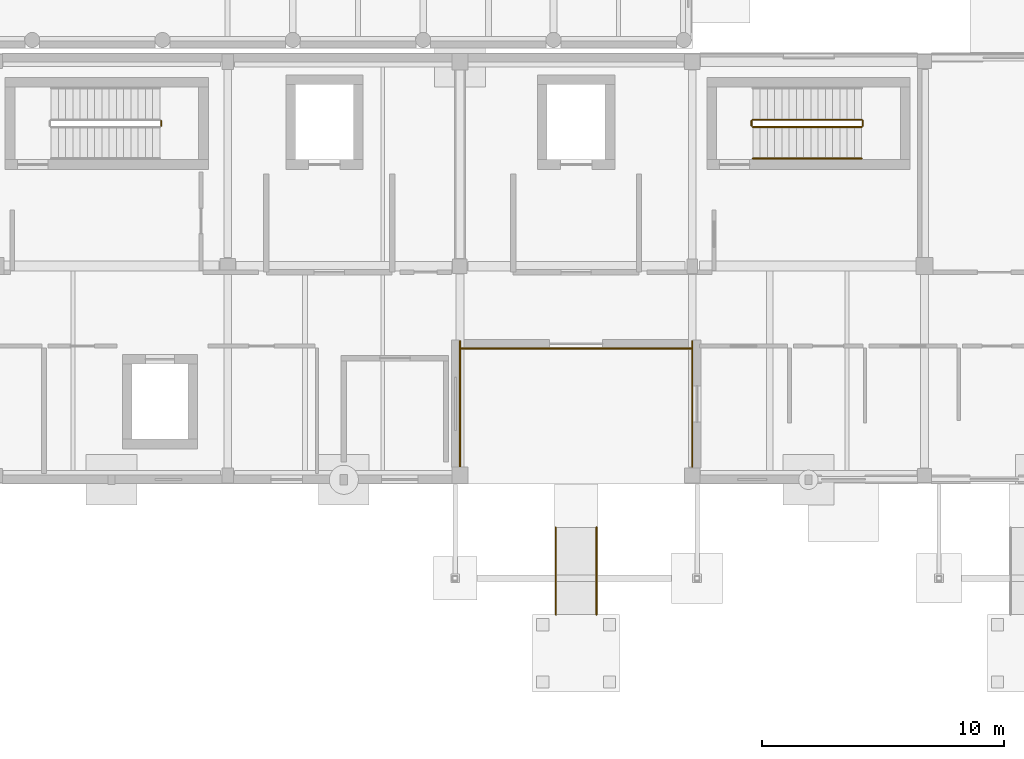
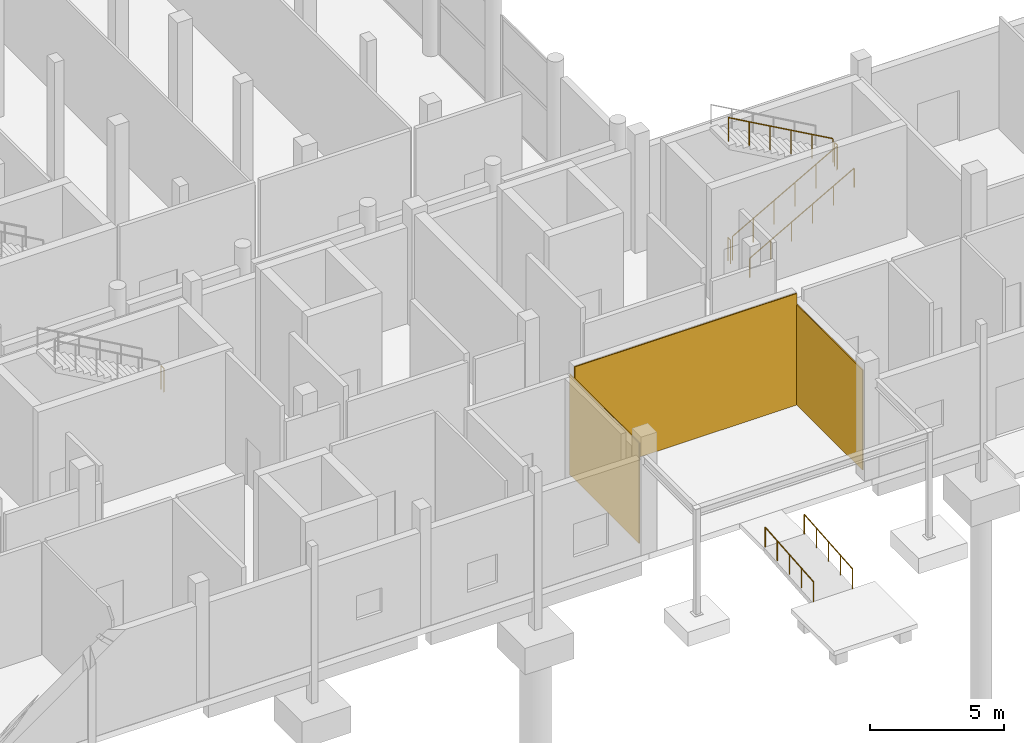
# One storey, part 79 of 88: 8 railings, 3 coverings.
"""IFC4 building model written with IfcOpenShell, lengths in metres."""

from ifc_helpers import new_model, si_unit, direction, frame, origin, origin_2d, place, context, subcontext, project, spatial, rectangle, circle, extrude, material, layer, layer_set, type_object, element, save


model = new_model("IFC4")

# Units and contexts
model_context = context("Model", 3, precision=1e-05, world=origin(), true_north=direction((0.0, 1.0)))
body_context = subcontext(model_context, "Body", "Model", "MODEL_VIEW")
ifc_project = project(units=[si_unit("LENGTHUNIT", "METRE"), si_unit("AREAUNIT", "SQUARE_METRE"), si_unit("VOLUMEUNIT", "CUBIC_METRE"), si_unit("PLANEANGLEUNIT", "RADIAN"), si_unit("MASSUNIT", "GRAM", prefix="KILO")], contexts=[model_context])

# Site, building, storey
site_placement = place(None, origin())
site = spatial("IfcSite", under=ifc_project, at=site_placement, CompositionType="ELEMENT")
building_placement = place(site_placement, origin())
building = spatial("IfcBuilding", under=site, at=building_placement, Name="Birchvale Park Specialist Clinic", CompositionType="ELEMENT")
storey_placement = place(building_placement, origin())
storey = spatial("IfcBuildingStorey", under=building, at=storey_placement, Name="L00", CompositionType="ELEMENT", Elevation=0.0)

# Coverings
ifc_material_1 = material(Name="Nordic larch vertical rainscreen cladding")
ifc_layer = layer(ifc_material_1, 0.044921875)
ifc_layer_set = layer_set([ifc_layer], Name="Nordic larch vertical rainscreen cladding")
covering_type = type_object("IfcCoveringType", Name="COV-CL1", PredefinedType="CLADDING", material=ifc_layer_set)
covering_1_placement = place(storey_placement, frame((80.6025390625, 20.112548828125, 0.02001953125), z_axis=(0.0, 0.0, 1.0), x_axis=(0.0, 1.0, 0.0)))
element("IfcCovering", 1, at=covering_1_placement, inside=storey, type_object=covering_type, Name="V4 L00 Nordic larch cladding 4", PredefinedType="CLADDING", context=body_context, shape_type="SweptSolid", body=[
    extrude(rectangle(XDim=5.215087890625, YDim=0.044921875, at=origin_2d()), origin(), (0.0, 0.0, 1.0), 4.56494140625),
])
covering_2_placement = place(storey_placement, frame((85.39990234375, 22.3974609375, 0.02001953125), z_axis=(0.0, 0.0, 1.0), x_axis=(1.0, 0.0, 0.0)))
element("IfcCovering", 2, at=covering_2_placement, inside=storey, type_object=covering_type, Name="V4 L00 Nordic larch cladding 5", PredefinedType="CLADDING", context=body_context, shape_type="SweptSolid", body=[
    extrude(rectangle(XDim=9.56005859375, YDim=0.044921875, at=origin_2d()), origin(), (0.0, 0.0, 1.0), 5.080078125),
])
covering_3_placement = place(storey_placement, frame((90.197509765625, 20.10009765625, 0.02001953125), z_axis=(0.0, 0.0, 1.0), x_axis=(0.0, -1.0, 0.0)))
element("IfcCovering", 3, at=covering_3_placement, inside=storey, type_object=covering_type, Name="V4 L00 Nordic larch cladding 6", PredefinedType="CLADDING", context=body_context, shape_type="SweptSolid", body=[
    extrude(rectangle(XDim=5.239990234375, YDim=0.044921875, at=origin_2d()), origin(), (0.0, 0.0, 1.0), 4.56494140625),
])

# Railings
ifc_material_2 = material(Name="Brushed stainless steel guard railing", Category="steel")
railing_type_1 = type_object("IfcRailingType", Name="RL-GRD1", PredefinedType="GUARDRAIL", material=ifc_material_2)
railing_1_placement = place(storey_placement, frame((68.25, 31.60009765625, 2.699951171875)))
element("IfcRailing", 4, at=railing_1_placement, inside=storey, type_object=railing_type_1, Name="L00 ST4 stair guard 2", PredefinedType="GUARDRAIL", context=body_context, shape_type="SweptSolid", body=[
    extrude(circle(Radius=0.02392578125, at=origin_2d()), frame((0.0, 0.0, 1.076171875), z_axis=(0.0, 1.0, 0.0), x_axis=(-1.0, 0.0, 0.0)), (0.0, 0.0, 1.0), 0.199951171875),
    extrude(circle(Radius=0.02099609375, at=origin_2d()), origin(), (0.0, 0.0, 1.0), 1.052001953125),
    extrude(circle(Radius=0.02099609375, at=origin_2d()), frame((0.0, 0.199951171875, 0.0)), (0.0, 0.0, 1.0), 1.052001953125),
])
railing_2_placement = place(storey_placement, frame((92.699951171875, 31.550048828125, 0.168701171875)))
element("IfcRailing", 5, at=railing_2_placement, inside=storey, type_object=railing_type_1, Name="L00 ST5 stair guard 1", PredefinedType="GUARDRAIL", context=body_context, shape_type="SweptSolid", body=[
    extrude(circle(Radius=0.02392578125, at=origin_2d()), frame((0.0, 0.0, 1.076171875), z_axis=(0.871575537125, 0.0, 0.490261239633), x_axis=(0.0, 1.0, 0.0)), (0.0, 0.0, 1.0), 5.1630859375),
    extrude(circle(Radius=0.02099609375, at=origin_2d()), origin(), (0.0, 0.0, 1.0), 1.052001953125),
    extrude(circle(Radius=0.02099609375, at=origin_2d()), frame((0.89990234375, 0.0, 0.50634765625)), (0.0, 0.0, 1.0), 1.052001953125),
    extrude(circle(Radius=0.02099609375, at=origin_2d()), frame((1.800048828125, 0.0, 1.012451171875)), (0.0, 0.0, 1.0), 1.052001953125),
    extrude(circle(Radius=0.02099609375, at=origin_2d()), frame((2.699951171875, 0.0, 1.518798828125)), (0.0, 0.0, 1.0), 1.052001953125),
    extrude(circle(Radius=0.02099609375, at=origin_2d()), frame((3.60009765625, 0.0, 2.02490234375)), (0.0, 0.0, 1.0), 1.052001953125),
    extrude(circle(Radius=0.02099609375, at=origin_2d()), frame((4.5, 0.0, 2.53125)), (0.0, 0.0, 1.0), 1.052001953125),
])
railing_3_placement = place(storey_placement, frame((97.25, 31.60009765625, 2.699951171875)))
element("IfcRailing", 6, at=railing_3_placement, inside=storey, type_object=railing_type_1, Name="L00 ST5 stair guard 2", PredefinedType="GUARDRAIL", context=body_context, shape_type="SweptSolid", body=[
    extrude(circle(Radius=0.02392578125, at=origin_2d()), frame((0.0, 0.0, 1.076171875), z_axis=(0.0, 1.0, 0.0), x_axis=(-1.0, 0.0, 0.0)), (0.0, 0.0, 1.0), 0.199951171875),
    extrude(circle(Radius=0.02099609375, at=origin_2d()), origin(), (0.0, 0.0, 1.0), 1.052001953125),
    extrude(circle(Radius=0.02099609375, at=origin_2d()), frame((0.0, 0.199951171875, 0.0)), (0.0, 0.0, 1.0), 1.052001953125),
])
railing_4_placement = place(storey_placement, frame((97.199951171875, 31.85009765625, 2.86865234375)))
element("IfcRailing", 7, at=railing_4_placement, inside=storey, type_object=railing_type_1, Name="L00 ST5 stair guard 3", PredefinedType="GUARDRAIL", context=body_context, shape_type="SweptSolid", body=[
    extrude(circle(Radius=0.02392578125, at=origin_2d()), frame((0.0, 0.0, 1.076171875), z_axis=(-0.871575537125, 0.0, 0.490261239633), x_axis=(0.0, -1.0, 0.0)), (0.0, 0.0, 1.0), 5.1630859375),
    extrude(circle(Radius=0.02099609375, at=origin_2d()), origin(), (0.0, 0.0, 1.0), 1.052001953125),
    extrude(circle(Radius=0.02099609375, at=origin_2d()), frame((-0.89990234375, 0.0, 0.50634765625)), (0.0, 0.0, 1.0), 1.052001953125),
    extrude(circle(Radius=0.02099609375, at=origin_2d()), frame((-1.800048828125, 0.0, 1.012451171875)), (0.0, 0.0, 1.0), 1.052001953125),
    extrude(circle(Radius=0.02099609375, at=origin_2d()), frame((-2.699951171875, 0.0, 1.518798828125)), (0.0, 0.0, 1.0), 1.052001953125),
    extrude(circle(Radius=0.02099609375, at=origin_2d()), frame((-3.60009765625, 0.0, 2.02490234375)), (0.0, 0.0, 1.0), 1.052001953125),
    extrude(circle(Radius=0.02099609375, at=origin_2d()), frame((-4.5, 0.0, 2.53125)), (0.0, 0.0, 1.0), 1.052001953125),
])
railing_5_placement = place(storey_placement, frame((92.64990234375, 31.60009765625, 0.0)))
element("IfcRailing", 8, at=railing_5_placement, inside=storey, type_object=railing_type_1, Name="L00 ST5 stair guard 4", PredefinedType="GUARDRAIL", context=body_context, shape_type="SweptSolid", body=[
    extrude(circle(Radius=0.02392578125, at=origin_2d()), frame((0.0, 0.0, 1.076171875), z_axis=(0.0, 1.0, 0.0), x_axis=(-1.0, 0.0, 0.0)), (0.0, 0.0, 1.0), 0.199951171875),
    extrude(circle(Radius=0.02099609375, at=origin_2d()), origin(), (0.0, 0.0, 1.0), 1.052001953125),
    extrude(circle(Radius=0.02099609375, at=origin_2d()), frame((0.0, 0.199951171875, 0.0)), (0.0, 0.0, 1.0), 1.052001953125),
])
ifc_material_3 = material(Name="Anodised aluminium handrail", Category="aluminium")
railing_type_2 = type_object("IfcRailingType", Name="RL-HND1", PredefinedType="HANDRAIL", material=ifc_material_3)
for number, where, name in (
    (9, (86.239990234375, 11.39990234375, -0.300048828125), "Accessible ramp handrail AR-1 L"),
    (10, (84.56005859375, 11.39990234375, -0.300048828125), "Accessible ramp handrail AR-1 R"),
):
    element("IfcRailing", number, at=place(storey_placement, frame(where)), inside=storey, type_object=railing_type_2, Name=name, PredefinedType="HANDRAIL", context=body_context, shape_type="SweptSolid", body=[
        extrude(circle(Radius=0.02392578125, at=origin_2d()), frame((0.0, 0.0, 0.89599609375), z_axis=(0.0, 0.996544826035, 0.083056665618), x_axis=(-1.0, 0.0, 0.0)), (0.0, 0.0, 1.0), 3.612548828125),
        extrude(circle(Radius=0.02099609375, at=origin_2d()), origin(), (0.0, 0.0, 1.0), 0.871826171875),
        extrude(circle(Radius=0.02099609375, at=origin_2d()), frame((0.0, 0.89990234375, 0.074951171875)), (0.0, 0.0, 1.0), 0.871826171875),
        extrude(circle(Radius=0.02099609375, at=origin_2d()), frame((0.0, 1.800048828125, 0.14990234375)), (0.0, 0.0, 1.0), 0.871826171875),
        extrude(circle(Radius=0.02099609375, at=origin_2d()), frame((0.0, 2.7001953125, 0.22509765625)), (0.0, 0.0, 1.0), 0.871826171875),
        extrude(circle(Radius=0.02099609375, at=origin_2d()), frame((0.0, 3.60009765625, 0.300048828125)), (0.0, 0.0, 1.0), 0.871826171875),
    ])
railing_6_placement = place(storey_placement, frame((92.699951171875, 30.25, 0.168701171875)))
element("IfcRailing", 11, at=railing_6_placement, inside=storey, type_object=railing_type_2, Name="L00 ST5 stair handrail 1", PredefinedType="HANDRAIL", context=body_context, shape_type="SweptSolid", body=[
    extrude(circle(Radius=0.02392578125, at=origin_2d()), frame((0.0, 0.0, 0.8759765625), z_axis=(0.871575537125, 0.0, 0.490261239633), x_axis=(0.0, 1.0, 0.0)), (0.0, 0.0, 1.0), 5.1630859375),
    extrude(circle(Radius=0.02099609375, at=origin_2d()), origin(), (0.0, 0.0, 1.0), 0.851806640625),
    extrude(circle(Radius=0.02099609375, at=origin_2d()), frame((0.89990234375, 0.0, 0.50634765625)), (0.0, 0.0, 1.0), 0.851806640625),
    extrude(circle(Radius=0.02099609375, at=origin_2d()), frame((1.800048828125, 0.0, 1.012451171875)), (0.0, 0.0, 1.0), 0.851806640625),
    extrude(circle(Radius=0.02099609375, at=origin_2d()), frame((2.699951171875, 0.0, 1.518798828125)), (0.0, 0.0, 1.0), 0.851806640625),
    extrude(circle(Radius=0.02099609375, at=origin_2d()), frame((3.60009765625, 0.0, 2.02490234375)), (0.0, 0.0, 1.0), 0.851806640625),
    extrude(circle(Radius=0.02099609375, at=origin_2d()), frame((4.5, 0.0, 2.53125)), (0.0, 0.0, 1.0), 0.851806640625),
])

save(model, "model.ifc")
